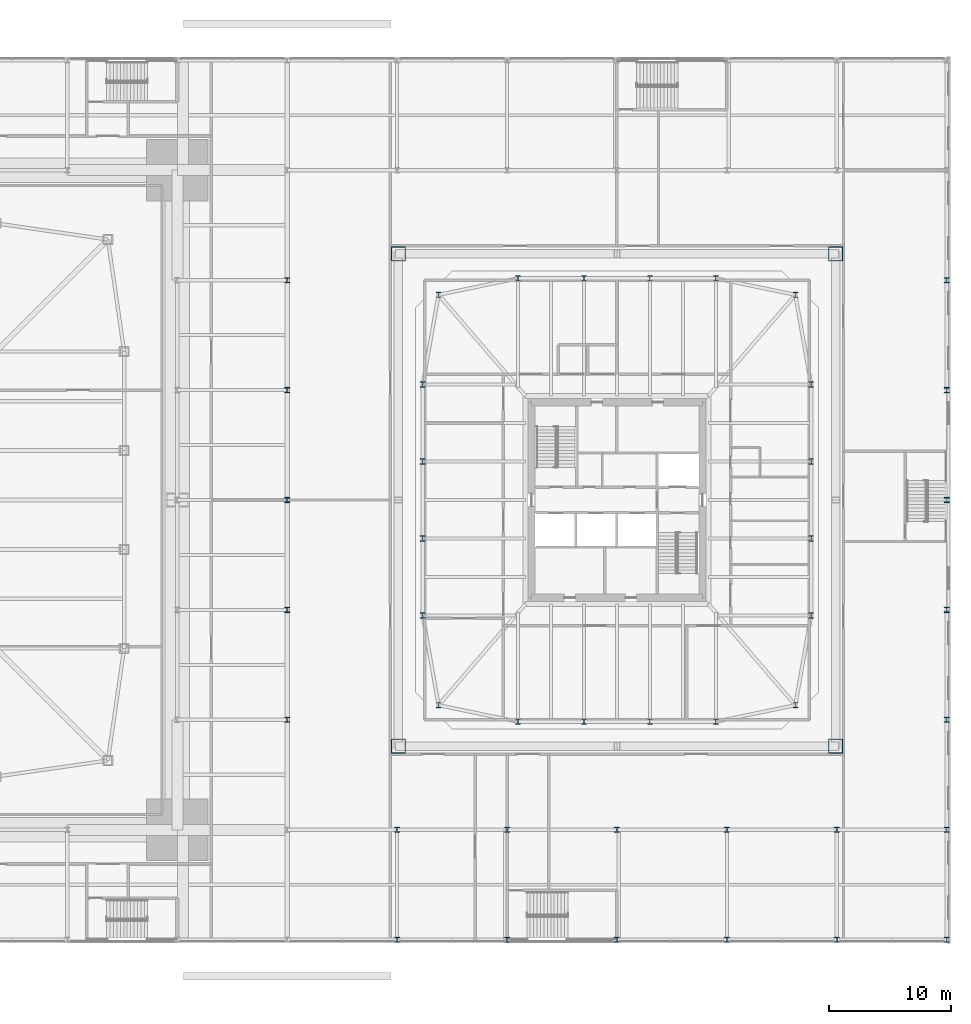
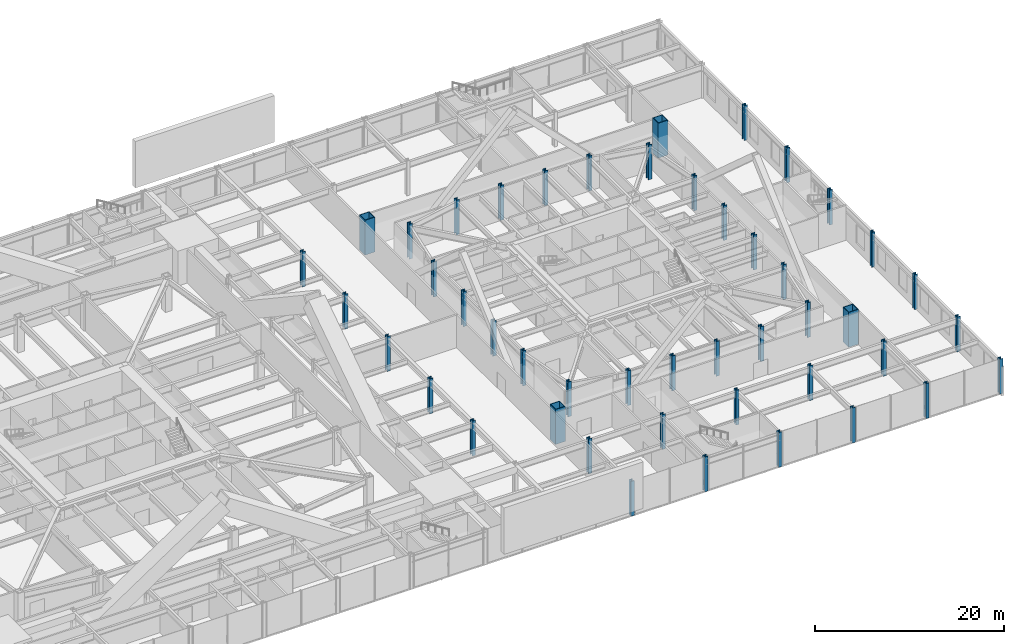
# One storey, part 3 of 32: 46 columns.
"""IFC4 building model written with IfcOpenShell, lengths in metres."""

from ifc_helpers import new_model, si_unit, direction, frame, origin, origin_2d, place, context, subcontext, project, spatial, hollow_rectangle, i_section, extrude, material, material_profile, profile_set, type_object, element, save


model = new_model("IFC4")

# Units and contexts
model_context = context("Model", 3, precision=1e-05, world=origin(), true_north=direction((0.0, 1.0)))
body_context = subcontext(model_context, "Body", "Model", "MODEL_VIEW")
ifc_project = project(units=[si_unit("LENGTHUNIT", "METRE"), si_unit("AREAUNIT", "SQUARE_METRE"), si_unit("VOLUMEUNIT", "CUBIC_METRE"), si_unit("PLANEANGLEUNIT", "RADIAN"), si_unit("MASSUNIT", "GRAM", prefix="KILO")], contexts=[model_context])

# Site, building, storey
site_placement = place(None, origin())
site = spatial("IfcSite", under=ifc_project, at=site_placement, CompositionType="ELEMENT")
building_placement = place(site_placement, origin())
building = spatial("IfcBuilding", under=site, at=building_placement, Name="Iwan Alto Co-Living Towers", CompositionType="ELEMENT")
storey_placement = place(building_placement, frame((0.0, 0.0, 6.0)))
storey = spatial("IfcBuildingStorey", under=building, at=storey_placement, Name="L01", CompositionType="ELEMENT", Elevation=6.0)

# Columns
ifc_material_1 = material(Name="Steel ASTM A992 Gr 50", Category="steel")
ifc_material_profile_1 = material_profile(ifc_material_1, i_section(OverallWidth=0.411376953125, OverallDepth=0.434326171875, WebThickness=0.035888671875, FlangeThickness=0.057373046875, at=origin_2d()), Name="W14X311")
ifc_profile_set_1 = profile_set([ifc_material_profile_1], Name="Steel ASTM A992 Gr 50")
column_type_1 = type_object("IfcColumnType", Name="PODIUM COLUMN W14X311", PredefinedType="COLUMN", material=ifc_profile_set_1)
for number, where, z_axis, x_axis, name in (
    (1, (36.0, -18.0, 0.0), (0.0, 0.0, 1.0), (1.0, 0.0, 0.0), "Podium column 9/C L01"),
    (2, (36.0, -9.0, 0.0), (0.0, 0.0, 1.0), (1.0, 0.0, 0.0), "Podium column 9/D L01"),
    (3, (36.0, 0.0, 0.0), (0.0, 0.0, 1.0), (1.0, 0.0, 0.0), "Podium column 9/E L01"),
    (4, (36.0, 9.0, 0.0), (0.0, 0.0, 1.0), (1.0, 0.0, 0.0), "Podium column 9/F L01"),
    (5, (36.0, 18.0, 0.0), (0.0, 0.0, 1.0), (1.0, 0.0, 0.0), "Podium column 9/G L01"),
    (6, (45.0, -36.0, 0.0), (0.0, 0.0, 1.0), (1.0, 0.0, 0.0), "Podium column 10/A L01"),
    (7, (45.0, -27.0, 0.0), (0.0, 0.0, 1.0), (1.0, 0.0, 0.0), "Podium column 10/B L01"),
    (8, (54.0, -36.0, 0.0), (0.0, 0.0, 1.0), (1.0, 0.0, 0.0), "Podium column 11/A L01"),
    (9, (54.0, -27.0, 0.0), (0.0, 0.0, 1.0), (1.0, 0.0, 0.0), "Podium column 11/B L01"),
    (10, (63.0, -36.0, 0.0), (0.0, 0.0, 1.0), (1.0, 0.0, 0.0), "Podium column 12/A L01"),
    (11, (63.0, -27.0, 0.0), (0.0, 0.0, 1.0), (1.0, 0.0, 0.0), "Podium column 12/B L01"),
    (12, (72.0, -36.0, 0.0), (0.0, 0.0, 1.0), (1.0, 0.0, 0.0), "Podium column 13/A L01"),
    (13, (72.0, -27.0, 0.0), (0.0, 0.0, 1.0), (1.0, 0.0, 0.0), "Podium column 13/B L01"),
    (14, (81.0, -36.0, 0.0), (0.0, 0.0, 1.0), (1.0, 0.0, 0.0), "Podium column 14/A L01"),
    (15, (81.0, -27.0, 0.0), (0.0, 0.0, 1.0), (1.0, 0.0, 0.0), "Podium column 14/B L01"),
    (16, (90.0, -36.0, 0.0), (0.0, 0.0, 1.0), (1.0, 0.0, 0.0), "Podium column 15/A L01"),
    (17, (90.0, -27.0, 0.0), (0.0, 0.0, 1.0), (1.0, 0.0, 0.0), "Podium column 15/B L01"),
    (18, (90.0, -18.0, 0.0), (0.0, 0.0, 1.0), (1.0, 0.0, 0.0), "Podium column 15/C L01"),
    (19, (90.0, -9.0, 0.0), (0.0, 0.0, 1.0), (1.0, 0.0, 0.0), "Podium column 15/D L01"),
    (20, (90.0, 0.0, 0.0), (0.0, 0.0, 1.0), (1.0, 0.0, 0.0), "Podium column 15/E L01"),
    (21, (90.0, 9.0, 0.0), (0.0, 0.0, 1.0), (1.0, 0.0, 0.0), "Podium column 15/F L01"),
    (22, (90.0, 18.0, 0.0), (0.0, 0.0, 1.0), (1.0, 0.0, 0.0), "Podium column 15/G L01"),
):
    element("IfcColumn", number, at=place(storey_placement, frame(where, z_axis=z_axis, x_axis=x_axis)), inside=storey, type_object=column_type_1, Name=name, PredefinedType="COLUMN", context=body_context, shape_type="SweptSolid", body=[
        extrude(i_section(OverallWidth=0.411376953125, OverallDepth=0.434326171875, WebThickness=0.035888671875, FlangeThickness=0.057373046875, at=origin_2d()), origin(), (0.0, 0.0, 1.0), 4.5),
    ])
ifc_material_2 = material(Name="Steel ASTM A572 Gr 50", Category="steel")
ifc_material_profile_2 = material_profile(ifc_material_2, hollow_rectangle(XDim=1.199951171875, YDim=1.199951171875, WallThickness=0.070068359375, at=origin_2d()), Name="BOX 1200X1200X70")
ifc_profile_set_2 = profile_set([ifc_material_profile_2], Name="Steel ASTM A572 Gr 50")
column_type_2 = type_object("IfcColumnType", Name="T2 MEGA COLUMN BOX 1200X1200X70", PredefinedType="COLUMN", material=ifc_profile_set_2)
for number, where, z_axis, x_axis, name in (
    (23, (45.10009765625, -20.14990234375, 0.0), (0.0, 0.0, 1.0), (1.0, 0.0, 0.0), "T2 mega column SW L01"),
    (24, (80.89990234375, -20.14990234375, 0.0), (0.0, 0.0, 1.0), (1.0, 0.0, 0.0), "T2 mega column SE L01"),
    (25, (80.89990234375, 20.14990234375, 0.0), (0.0, 0.0, 1.0), (1.0, 0.0, 0.0), "T2 mega column NE L01"),
    (26, (45.10009765625, 20.14990234375, 0.0), (0.0, 0.0, 1.0), (1.0, 0.0, 0.0), "T2 mega column NW L01"),
):
    element("IfcColumn", number, at=place(storey_placement, frame(where, z_axis=z_axis, x_axis=x_axis)), inside=storey, type_object=column_type_2, Name=name, PredefinedType="COLUMN", context=body_context, shape_type="SweptSolid", body=[
        extrude(hollow_rectangle(XDim=1.199951171875, YDim=1.199951171875, WallThickness=0.070068359375, at=origin_2d()), origin(), (0.0, 0.0, 1.0), 4.5),
    ])
ifc_material_3 = material(Name="Steel ASTM A992 Gr 50", Category="steel")
ifc_material_profile_3 = material_profile(ifc_material_3, i_section(OverallWidth=0.424072265625, OverallDepth=0.47509765625, WebThickness=0.0478515625, FlangeThickness=0.0771484375, at=origin_2d()), Name="W14X426")
ifc_profile_set_3 = profile_set([ifc_material_profile_3], Name="Steel ASTM A992 Gr 50")
column_type_3 = type_object("IfcColumnType", Name="T2 RING COLUMN W14X426", PredefinedType="COLUMN", material=ifc_profile_set_3)
for number, where, z_axis, x_axis, name in (
    (27, (48.393798828125, -16.797119140625, 0.0), (0.0, 0.0, 1.0), (1.0, 0.0, 0.0), "T2 ring column CSW L01"),
    (28, (54.89990234375, -18.14990234375, 0.0), (0.0, 0.0, 1.0), (1.0, 0.0, 0.0), "T2 ring column S1 L01"),
    (29, (60.300048828125, -18.14990234375, 0.0), (0.0, 0.0, 1.0), (1.0, 0.0, 0.0), "T2 ring column S2 L01"),
    (30, (65.699951171875, -18.14990234375, 0.0), (0.0, 0.0, 1.0), (1.0, 0.0, 0.0), "T2 ring column S3 L01"),
    (31, (71.10009765625, -18.14990234375, 0.0), (0.0, 0.0, 1.0), (1.0, 0.0, 0.0), "T2 ring column S4 L01"),
    (32, (77.606201171875, -16.797119140625, 0.0), (0.0, 0.0, 1.0), (1.0, 0.0, 0.0), "T2 ring column CSE L01"),
    (33, (78.89990234375, -9.449951171875, 0.0), (0.0, 0.0, 1.0), (1.0, 0.0, 0.0), "T2 ring column E1 L01"),
    (34, (78.89990234375, -3.14990234375, 0.0), (0.0, 0.0, 1.0), (1.0, 0.0, 0.0), "T2 ring column E2 L01"),
    (35, (78.89990234375, 3.14990234375, 0.0), (0.0, 0.0, 1.0), (1.0, 0.0, 0.0), "T2 ring column E3 L01"),
    (36, (78.89990234375, 9.449951171875, 0.0), (0.0, 0.0, 1.0), (1.0, 0.0, 0.0), "T2 ring column E4 L01"),
    (37, (77.606201171875, 16.797119140625, 0.0), (0.0, 0.0, 1.0), (1.0, 0.0, 0.0), "T2 ring column CNE L01"),
    (38, (71.10009765625, 18.14990234375, 0.0), (0.0, 0.0, 1.0), (1.0, 0.0, 0.0), "T2 ring column N1 L01"),
    (39, (65.699951171875, 18.14990234375, 0.0), (0.0, 0.0, 1.0), (1.0, 0.0, 0.0), "T2 ring column N2 L01"),
    (40, (60.300048828125, 18.14990234375, 0.0), (0.0, 0.0, 1.0), (1.0, 0.0, 0.0), "T2 ring column N3 L01"),
    (41, (54.89990234375, 18.14990234375, 0.0), (0.0, 0.0, 1.0), (1.0, 0.0, 0.0), "T2 ring column N4 L01"),
    (42, (48.393798828125, 16.797119140625, 0.0), (0.0, 0.0, 1.0), (1.0, 0.0, 0.0), "T2 ring column CNW L01"),
    (43, (47.10009765625, 9.449951171875, 0.0), (0.0, 0.0, 1.0), (1.0, 0.0, 0.0), "T2 ring column W1 L01"),
    (44, (47.10009765625, 3.14990234375, 0.0), (0.0, 0.0, 1.0), (1.0, 0.0, 0.0), "T2 ring column W2 L01"),
    (45, (47.10009765625, -3.14990234375, 0.0), (0.0, 0.0, 1.0), (1.0, 0.0, 0.0), "T2 ring column W3 L01"),
    (46, (47.10009765625, -9.449951171875, 0.0), (0.0, 0.0, 1.0), (1.0, 0.0, 0.0), "T2 ring column W4 L01"),
):
    element("IfcColumn", number, at=place(storey_placement, frame(where, z_axis=z_axis, x_axis=x_axis)), inside=storey, type_object=column_type_3, Name=name, PredefinedType="COLUMN", context=body_context, shape_type="SweptSolid", body=[
        extrude(i_section(OverallWidth=0.424072265625, OverallDepth=0.47509765625, WebThickness=0.0478515625, FlangeThickness=0.0771484375, at=origin_2d()), origin(), (0.0, 0.0, 1.0), 4.5),
    ])

save(model, "model.ifc")
